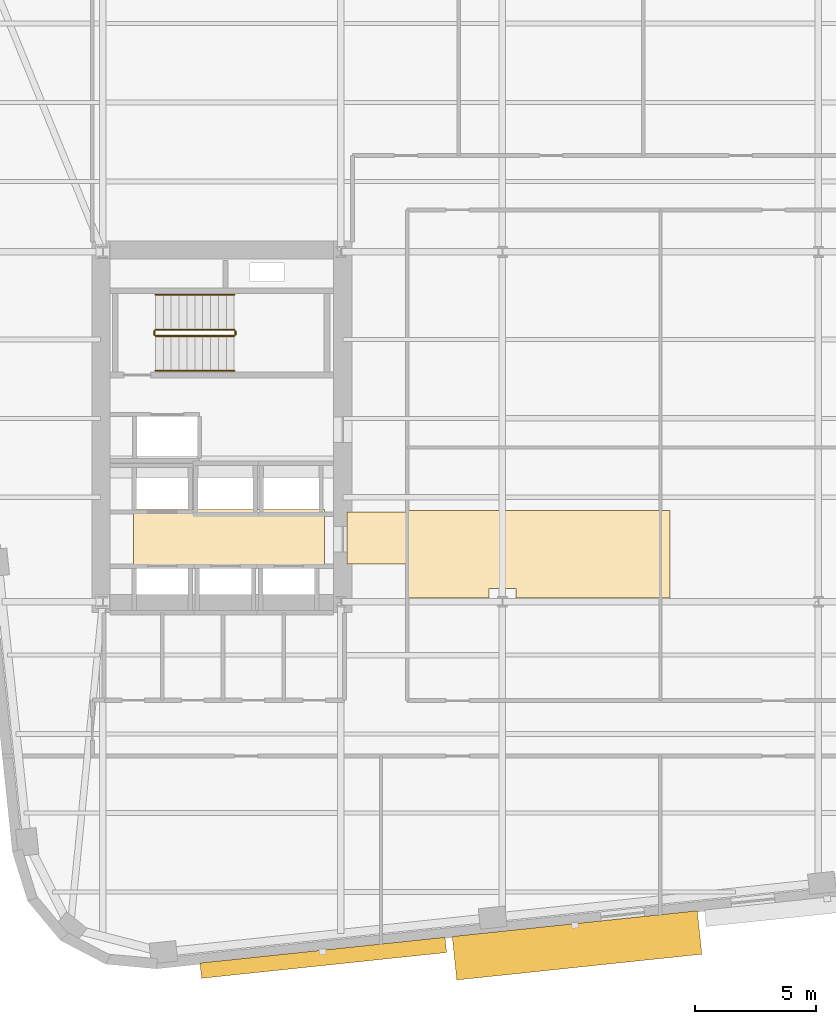
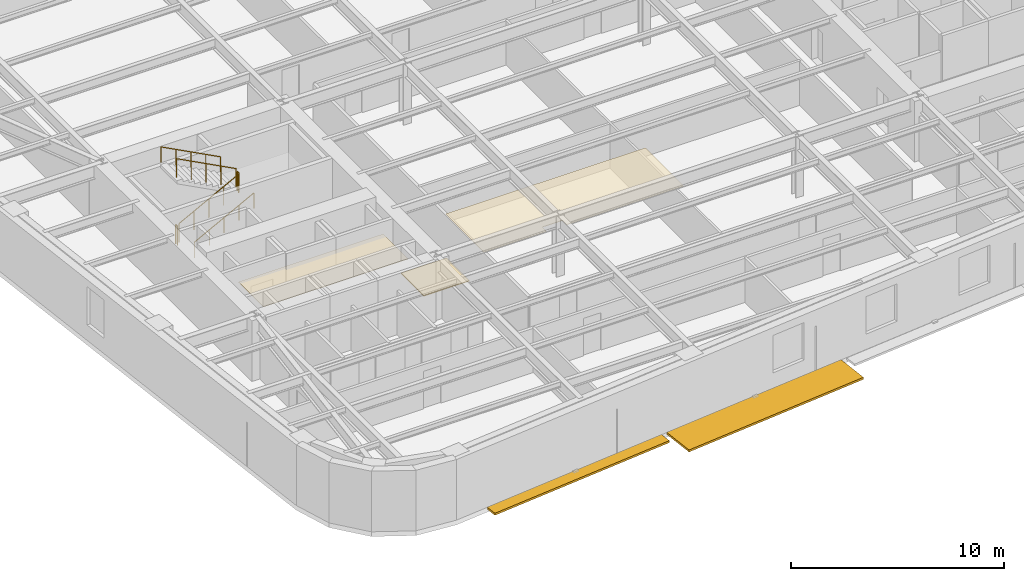
# One storey, part 8 of 11: 6 railings, 3 coverings, 2 shading devices.
"""IFC4 building model written with IfcOpenShell, lengths in metres."""

from ifc_helpers import new_model, si_unit, direction, frame, origin, origin_2d, place, context, subcontext, project, spatial, polyline, rectangle, circle, outline, extrude, material, layer, layer_set, type_object, element, save


model = new_model("IFC4")

# Units and contexts
model_context = context("Model", 3, precision=1e-05, world=origin(), true_north=direction((0.0, 1.0)))
body_context = subcontext(model_context, "Body", "Model", "MODEL_VIEW")
ifc_project = project(units=[si_unit("LENGTHUNIT", "METRE"), si_unit("AREAUNIT", "SQUARE_METRE"), si_unit("VOLUMEUNIT", "CUBIC_METRE"), si_unit("PLANEANGLEUNIT", "RADIAN"), si_unit("MASSUNIT", "GRAM", prefix="KILO")], contexts=[model_context])

# Site, building, storey
site_placement = place(None, origin())
site = spatial("IfcSite", under=ifc_project, at=site_placement, CompositionType="ELEMENT")
building_placement = place(site_placement, origin())
building = spatial("IfcBuilding", under=site, at=building_placement, Name="Kolvaren Arena Tower", CompositionType="ELEMENT")
storey_placement = place(building_placement, frame((0.0, 0.0, 134.5)))
storey = spatial("IfcBuildingStorey", under=building, at=storey_placement, Name="L31", CompositionType="ELEMENT", Elevation=134.5)

# Coverings
ifc_material_1 = material(Name="Mineral fibre acoustic ceiling tile", Category="gypsum")
ifc_layer_1 = layer(ifc_material_1, 0.02490234375)
ifc_layer_set_1 = layer_set([ifc_layer_1], Name="Mineral fibre acoustic ceiling tile")
covering_type_1 = type_object("IfcCoveringType", Name="CEIL-ACT-1", PredefinedType="CEILING", material=ifc_layer_set_1)
covering_1_placement = place(storey_placement, frame((0.0, 0.0, 2.52001953125)))
element("IfcCovering", 1, at=covering_1_placement, inside=storey, type_object=covering_type_1, Name="Suspended Ceiling (L31)", PredefinedType="CEILING", context=body_context, shape_type="SweptSolid", body=[
    extrude(outline(polyline([(27.050048828125, 19.60009765625), (27.050048828125, 23.199951171875), (37.89990234375, 23.199951171875), (37.89990234375, 19.60009765625), (31.550048828125, 19.60009765625), (31.550048828125, 20.0), (30.449951171875, 20.0), (30.449951171875, 19.60009765625), (27.050048828125, 19.60009765625)])), origin(), (0.0, 0.0, 1.0), 0.02490234375),
])
ifc_material_2 = material(Name="Moisture-resistant gypsum ceiling", Category="gypsum")
ifc_layer_2 = layer(ifc_material_2, 0.030029296875)
ifc_layer_set_2 = layer_set([ifc_layer_2], Name="Moisture-resistant gypsum ceiling")
covering_type_2 = type_object("IfcCoveringType", Name="CEIL-GYP-1", PredefinedType="CEILING", material=ifc_layer_set_2)
covering_2_placement = place(storey_placement, frame((0.0, 0.0, 2.52001953125)))
element("IfcCovering", 2, at=covering_2_placement, inside=storey, type_object=covering_type_2, Name="Suspended Ceiling (L31)", PredefinedType="CEILING", context=body_context, shape_type="SweptSolid", body=[
    extrude(outline(polyline([(15.820068359375, 20.89990234375), (15.820068359375, 23.239990234375), (23.679931640625, 23.239990234375), (23.679931640625, 20.89990234375), (15.820068359375, 20.89990234375)])), origin(), (0.0, 0.0, 1.0), 0.030029296875),
])
ifc_material_3 = material(Name="Raised access office floor finish", Category="aluminium")
ifc_layer_3 = layer(ifc_material_3, 0.044921875)
ifc_layer_set_3 = layer_set([ifc_layer_3], Name="Raised access office floor finish")
covering_type_3 = type_object("IfcCoveringType", Name="FLOR-RAF-1", PredefinedType="FLOORING", material=ifc_layer_set_3)
covering_3_placement = place(storey_placement, origin())
element("IfcCovering", 3, at=covering_3_placement, inside=storey, type_object=covering_type_3, Name="Floor Finish (L31)", PredefinedType="FLOORING", context=body_context, shape_type="SweptSolid", body=[
    extrude(outline(polyline([(24.60009765625, 21.0), (24.60009765625, 23.14990234375), (27.080078125, 23.14990234375), (27.080078125, 21.0), (24.60009765625, 21.0)])), origin(), (0.0, 0.0, 1.0), 0.044921875),
])

# Railings
ifc_material_4 = material(Name="Painted galvanized steel", Category="steel")
railing_type_1 = type_object("IfcRailingType", Name="GUARD-ST-110", PredefinedType="GUARDRAIL", material=ifc_material_4)
railing_1_placement = place(storey_placement, frame((16.719970703125, 30.389892578125, 0.17041015625)))
element("IfcRailing", 4, at=railing_1_placement, inside=storey, type_object=railing_type_1, Name="L31 ST-W1 stair guard 1", PredefinedType="GUARDRAIL", context=body_context, shape_type="SweptSolid", body=[
    extrude(circle(Radius=0.02392578125, at=origin_2d()), frame((0.0, 0.0, 1.076171875), z_axis=(0.884993431791, 0.0, 0.465603506952), x_axis=(0.0, 1.0, 0.0)), (0.0, 0.0, 1.0), 3.6611328125),
    extrude(circle(Radius=0.02099609375, at=origin_2d()), origin(), (0.0, 0.0, 1.0), 1.052001953125),
    extrude(circle(Radius=0.02099609375, at=origin_2d()), frame((0.81005859375, 0.0, 0.42626953125)), (0.0, 0.0, 1.0), 1.052001953125),
    extrude(circle(Radius=0.02099609375, at=origin_2d()), frame((1.6201171875, 0.0, 0.852294921875)), (0.0, 0.0, 1.0), 1.052001953125),
    extrude(circle(Radius=0.02099609375, at=origin_2d()), frame((2.429931640625, 0.0, 1.2783203125)), (0.0, 0.0, 1.0), 1.052001953125),
    extrude(circle(Radius=0.02099609375, at=origin_2d()), frame((3.239990234375, 0.0, 1.70458984375)), (0.0, 0.0, 1.0), 1.052001953125),
])
railing_2_placement = place(storey_placement, frame((20.010009765625, 30.43994140625, 1.875)))
element("IfcRailing", 5, at=railing_2_placement, inside=storey, type_object=railing_type_1, Name="L31 ST-W1 stair guard 2", PredefinedType="GUARDRAIL", context=body_context, shape_type="SweptSolid", body=[
    extrude(circle(Radius=0.02392578125, at=origin_2d()), frame((0.0, 0.0, 1.076171875), z_axis=(0.0, 1.0, 0.0), x_axis=(-1.0, 0.0, 0.0)), (0.0, 0.0, 1.0), 0.150146484375),
    extrude(circle(Radius=0.02099609375, at=origin_2d()), origin(), (0.0, 0.0, 1.0), 1.052001953125),
    extrude(circle(Radius=0.02099609375, at=origin_2d()), frame((0.0, 0.150146484375, 0.0)), (0.0, 0.0, 1.0), 1.052001953125),
])
railing_3_placement = place(storey_placement, frame((19.9599609375, 30.639892578125, 2.04541015625)))
element("IfcRailing", 6, at=railing_3_placement, inside=storey, type_object=railing_type_1, Name="L31 ST-W1 stair guard 3", PredefinedType="GUARDRAIL", context=body_context, shape_type="SweptSolid", body=[
    extrude(circle(Radius=0.02392578125, at=origin_2d()), frame((0.0, 0.0, 1.076171875), z_axis=(-0.884993431791, 0.0, 0.465603506952), x_axis=(0.0, -1.0, 0.0)), (0.0, 0.0, 1.0), 3.6611328125),
    extrude(circle(Radius=0.02099609375, at=origin_2d()), origin(), (0.0, 0.0, 1.0), 1.052001953125),
    extrude(circle(Radius=0.02099609375, at=origin_2d()), frame((-0.81005859375, 0.0, 0.42626953125)), (0.0, 0.0, 1.0), 1.052001953125),
    extrude(circle(Radius=0.02099609375, at=origin_2d()), frame((-1.6201171875, 0.0, 0.852294921875)), (0.0, 0.0, 1.0), 1.052001953125),
    extrude(circle(Radius=0.02099609375, at=origin_2d()), frame((-2.429931640625, 0.0, 1.2783203125)), (0.0, 0.0, 1.0), 1.052001953125),
    extrude(circle(Radius=0.02099609375, at=origin_2d()), frame((-3.239990234375, 0.0, 1.70458984375)), (0.0, 0.0, 1.0), 1.052001953125),
])
railing_4_placement = place(storey_placement, frame((16.669921875, 30.43994140625, 0.0)))
element("IfcRailing", 7, at=railing_4_placement, inside=storey, type_object=railing_type_1, Name="L31 ST-W1 stair guard 4", PredefinedType="GUARDRAIL", context=body_context, shape_type="SweptSolid", body=[
    extrude(circle(Radius=0.02392578125, at=origin_2d()), frame((0.0, 0.0, 1.076171875), z_axis=(0.0, 1.0, 0.0), x_axis=(-1.0, 0.0, 0.0)), (0.0, 0.0, 1.0), 0.150146484375),
    extrude(circle(Radius=0.02099609375, at=origin_2d()), origin(), (0.0, 0.0, 1.0), 1.052001953125),
    extrude(circle(Radius=0.02099609375, at=origin_2d()), frame((0.0, 0.150146484375, 0.0)), (0.0, 0.0, 1.0), 1.052001953125),
])
ifc_material_5 = material(Name="Brushed stainless steel handrail", Category="steel")
railing_type_2 = type_object("IfcRailingType", Name="HRAIL-900", PredefinedType="HANDRAIL", material=ifc_material_5)
railing_5_placement = place(storey_placement, frame((16.719970703125, 28.949951171875, 0.17041015625)))
element("IfcRailing", 8, at=railing_5_placement, inside=storey, type_object=railing_type_2, Name="L31 ST-W1 stair handrail 1", PredefinedType="HANDRAIL", context=body_context, shape_type="SweptSolid", body=[
    extrude(circle(Radius=0.02392578125, at=origin_2d()), frame((0.0, 0.0, 0.8759765625), z_axis=(0.884993431791, 0.0, 0.465603506952), x_axis=(0.0, 1.0, 0.0)), (0.0, 0.0, 1.0), 3.6611328125),
    extrude(circle(Radius=0.02099609375, at=origin_2d()), origin(), (0.0, 0.0, 1.0), 0.851806640625),
    extrude(circle(Radius=0.02099609375, at=origin_2d()), frame((0.81005859375, 0.0, 0.42626953125)), (0.0, 0.0, 1.0), 0.851806640625),
    extrude(circle(Radius=0.02099609375, at=origin_2d()), frame((1.6201171875, 0.0, 0.852294921875)), (0.0, 0.0, 1.0), 0.851806640625),
    extrude(circle(Radius=0.02099609375, at=origin_2d()), frame((2.429931640625, 0.0, 1.2783203125)), (0.0, 0.0, 1.0), 0.851806640625),
    extrude(circle(Radius=0.02099609375, at=origin_2d()), frame((3.239990234375, 0.0, 1.70458984375)), (0.0, 0.0, 1.0), 0.851806640625),
])
railing_6_placement = place(storey_placement, frame((19.9599609375, 32.080078125, 2.04541015625)))
element("IfcRailing", 9, at=railing_6_placement, inside=storey, type_object=railing_type_2, Name="L31 ST-W1 stair handrail 2", PredefinedType="HANDRAIL", context=body_context, shape_type="SweptSolid", body=[
    extrude(circle(Radius=0.02392578125, at=origin_2d()), frame((0.0, 0.0, 0.8759765625), z_axis=(-0.884993431791, 0.0, 0.465603506952), x_axis=(0.0, -1.0, 0.0)), (0.0, 0.0, 1.0), 3.6611328125),
    extrude(circle(Radius=0.02099609375, at=origin_2d()), origin(), (0.0, 0.0, 1.0), 0.851806640625),
    extrude(circle(Radius=0.02099609375, at=origin_2d()), frame((-0.81005859375, 0.0, 0.42626953125)), (0.0, 0.0, 1.0), 0.851806640625),
    extrude(circle(Radius=0.02099609375, at=origin_2d()), frame((-1.6201171875, 0.0, 0.852294921875)), (0.0, 0.0, 1.0), 0.851806640625),
    extrude(circle(Radius=0.02099609375, at=origin_2d()), frame((-2.429931640625, 0.0, 1.2783203125)), (0.0, 0.0, 1.0), 0.851806640625),
    extrude(circle(Radius=0.02099609375, at=origin_2d()), frame((-3.239990234375, 0.0, 1.70458984375)), (0.0, 0.0, 1.0), 0.851806640625),
])

# Shading devices
ifc_material_6 = material(Name="Architectural precast GFRC and anodised aluminium sunshade", Category="concrete")
shading_device_type_1 = type_object("IfcShadingDeviceType", Name="SHAD-SINE-A", PredefinedType="USERDEFINED", material=ifc_material_6)
shading_device_1_placement = place(storey_placement, frame((23.6259765625, 4.794677734375, -0.14013671875), z_axis=(0.0, 0.0, 1.0), x_axis=(-0.994522077803, -0.104526727499, 0.0)))
element("IfcShadingDevice", 10, at=shading_device_1_placement, inside=storey, type_object=shading_device_type_1, Name="Sinusoidal Slab-Edge Sunshade Louvre (L31)", ObjectType="LOUVRE", PredefinedType="USERDEFINED", context=body_context, shape_type="SweptSolid", body=[
    extrude(rectangle(XDim=10.139892578125, YDim=0.6328125, at=origin_2d()), origin(), (0.0, 0.0, 1.0), 0.1201171875),
])
shading_device_type_2 = type_object("IfcShadingDeviceType", Name="SHAD-SINE-B", PredefinedType="JALOUSIE", material=ifc_material_6)
shading_device_2_placement = place(storey_placement, frame((34.06982421875, 5.305908203125, -0.14013671875), z_axis=(0.0, 0.0, 1.0), x_axis=(-0.994522077803, -0.104526727499, 0.0)))
element("IfcShadingDevice", 11, at=shading_device_2_placement, inside=storey, type_object=shading_device_type_2, Name="Sinusoidal Slab-Edge Sunshade Louvre (L31)", PredefinedType="JALOUSIE", context=body_context, shape_type="SweptSolid", body=[
    extrude(rectangle(XDim=10.139892578125, YDim=1.79931640625, at=origin_2d()), origin(), (0.0, 0.0, 1.0), 0.1201171875),
])

save(model, "model.ifc")
